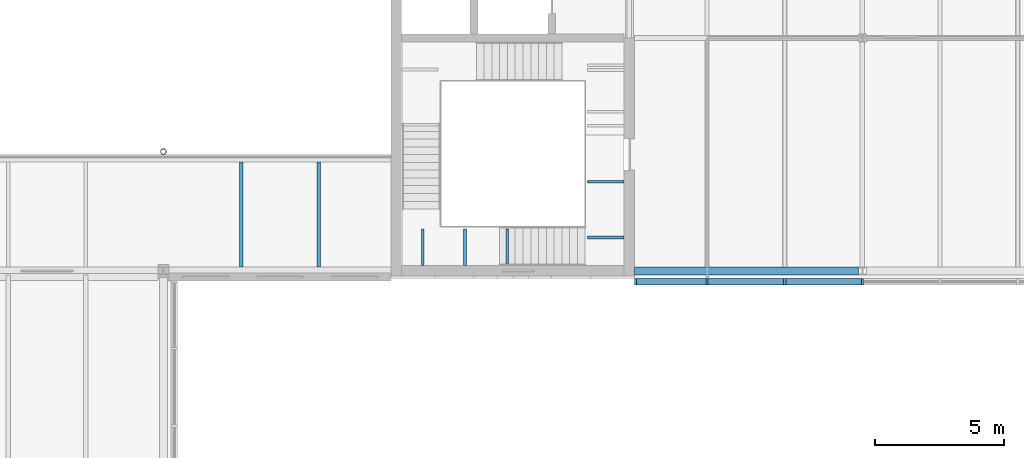
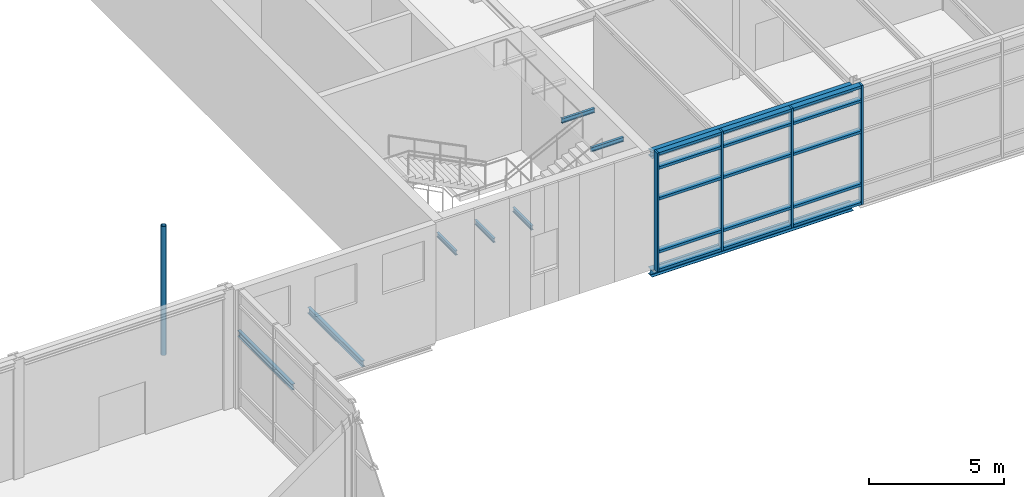
# One storey, part 23 of 46: 20 members, 9 beams, 1 element without a shape of its own.
"""IFC4 building model written with IfcOpenShell, lengths in metres."""

from ifc_helpers import new_model, si_unit, direction, frame, origin, origin_2d, place, context, subcontext, project, spatial, rectangle, hollow_circle, i_section, extrude, material, material_profile, profile_set, type_object, element, aggregate, save


model = new_model("IFC4")

# Units and contexts
model_context = context("Model", 3, precision=1e-05, world=origin(), true_north=direction((0.0, 1.0)))
body_context = subcontext(model_context, "Body", "Model", "MODEL_VIEW")
ifc_project = project(units=[si_unit("LENGTHUNIT", "METRE"), si_unit("AREAUNIT", "SQUARE_METRE"), si_unit("VOLUMEUNIT", "CUBIC_METRE"), si_unit("PLANEANGLEUNIT", "RADIAN"), si_unit("MASSUNIT", "GRAM", prefix="KILO")], contexts=[model_context])

# Site, building, storey
site_placement = place(None, origin())
site = spatial("IfcSite", under=ifc_project, at=site_placement, CompositionType="ELEMENT")
building_placement = place(site_placement, origin())
building = spatial("IfcBuilding", under=site, at=building_placement, Name="Azimuth Sports and Learning Centre", CompositionType="ELEMENT")
storey_placement = place(building_placement, frame((0.0, 0.0, 21.60009765625)))
storey = spatial("IfcBuildingStorey", under=building, at=storey_placement, Name="L04", CompositionType="ELEMENT", Elevation=21.60009765625)

# Beams
ifc_material_1 = material(Name="Steel S355", Category="steel")
ifc_material_profile_1 = material_profile(ifc_material_1, i_section(OverallWidth=0.10009765625, OverallDepth=0.199951171875, WebThickness=0.005615234375, FlangeThickness=0.008544921875, FilletRadius=0.011962890625, at=origin_2d()), Name="IPE 200")
ifc_profile_set_1 = profile_set([ifc_material_profile_1], Name="Steel S355")
beam_type_1 = type_object("IfcBeamType", Name="Beam IPE 200", PredefinedType="BEAM", material=ifc_profile_set_1)
for number, where, z_axis, x_axis, name in (
    (1, (109.0234375, 90.199951171875, 3.2998046875), (0.0, 1.0, 0.0), (-1.0, 0.0, 0.0), "Landing bracket E1 L04 395"),
    (2, (110.64990234375, 90.199951171875, 3.2998046875), (0.0, 1.0, 0.0), (-1.0, 0.0, 0.0), "Landing bracket E1 L04 396"),
    (3, (112.276611328125, 90.199951171875, 3.2998046875), (0.0, 1.0, 0.0), (-1.0, 0.0, 0.0), "Landing bracket E1 L04 397"),
    (4, (116.800048828125, 91.288818359375, 5.099853515625), (-1.0, 0.0, 0.0), (0.0, -1.0, 0.0), "Landing bracket E1 L04 398"),
    (5, (116.800048828125, 93.4462890625, 5.099853515625), (-1.0, 0.0, 0.0), (0.0, -1.0, 0.0), "Landing bracket E1 L04 399"),
):
    element("IfcBeam", number, at=place(storey_placement, frame(where, z_axis=z_axis, x_axis=x_axis)), inside=storey, type_object=beam_type_1, Name=name, PredefinedType="BEAM", context=body_context, shape_type="SweptSolid", body=[
        extrude(i_section(OverallWidth=0.10009765625, OverallDepth=0.199951171875, WebThickness=0.005615234375, FlangeThickness=0.008544921875, FilletRadius=0.011962890625, at=origin_2d()), origin(), (0.0, 0.0, 1.0), 1.41015625),
    ])
ifc_material_2 = material(Name="Steel S355", Category="steel")
ifc_material_profile_2 = material_profile(ifc_material_2, i_section(OverallWidth=0.300048828125, OverallDepth=0.2900390625, WebThickness=0.008544921875, FlangeThickness=0.013916015625, FilletRadius=0.027099609375, at=origin_2d()), Name="HEA 300")
ifc_profile_set_2 = profile_set([ifc_material_profile_2], Name="Steel S355")
beam_type_2 = type_object("IfcBeamType", Name="Edge beam HEA 300", PredefinedType="SPANDREL", material=ifc_profile_set_2)
beam_1_placement = place(storey_placement, frame((117.199951171875, 90.0, 5.054931640625), z_axis=(1.0, 0.0, 0.0), x_axis=(0.0, 1.0, 0.0)))
element("IfcBeam", 6, at=beam_1_placement, inside=storey, type_object=beam_type_2, Name="Edge beam L04 TE 62", PredefinedType="SPANDREL", context=body_context, shape_type="SweptSolid", body=[
    extrude(i_section(OverallWidth=0.300048828125, OverallDepth=0.2900390625, WebThickness=0.008544921875, FlangeThickness=0.013916015625, FilletRadius=0.027099609375, at=origin_2d()), origin(), (0.0, 0.0, 1.0), 8.650146484375),
])
ifc_material_3 = material(Name="Steel S355", Category="steel")
ifc_material_profile_3 = material_profile(ifc_material_3, i_section(OverallWidth=0.300048828125, OverallDepth=0.31005859375, WebThickness=0.009033203125, FlangeThickness=0.015380859375, FilletRadius=0.027099609375, at=origin_2d()), Name="HEA 320")
ifc_profile_set_3 = profile_set([ifc_material_profile_3], Name="Steel S355")
beam_type_3 = type_object("IfcBeamType", Name="Edge beam HEA 320", PredefinedType="SPANDREL", material=ifc_profile_set_3)
beam_2_placement = place(storey_placement, frame((117.199951171875, 90.0, -0.30517578125), z_axis=(1.0, 0.0, 0.0), x_axis=(0.0, 1.0, 0.0)))
element("IfcBeam", 7, at=beam_2_placement, inside=storey, type_object=beam_type_3, Name="Edge beam L04 WE 1", PredefinedType="SPANDREL", context=body_context, shape_type="SweptSolid", body=[
    extrude(i_section(OverallWidth=0.300048828125, OverallDepth=0.31005859375, WebThickness=0.009033203125, FlangeThickness=0.015380859375, FilletRadius=0.027099609375, at=origin_2d()), origin(), (0.0, 0.0, 1.0), 8.650146484375),
])
ifc_material_4 = material(Name="Steel S355", Category="steel")
ifc_material_profile_4 = material_profile(ifc_material_4, i_section(OverallWidth=0.135009765625, OverallDepth=0.27001953125, WebThickness=0.006591796875, FlangeThickness=0.01025390625, FilletRadius=0.014892578125, at=origin_2d()), Name="IPE 270")
ifc_profile_set_4 = profile_set([ifc_material_profile_4], Name="Steel S355")
beam_type_4 = type_object("IfcBeamType", Name="Joist IPE 270", PredefinedType="JOIST", material=ifc_profile_set_4)
for number, where, z_axis, x_axis, name in (
    (8, (102.0, 90.14990234375, -0.28515625), (0.0, 1.0, 0.0), (-1.0, 0.0, 0.0), "Joist L04 HG 12"),
    (9, (105.0, 90.14990234375, -0.28515625), (0.0, 1.0, 0.0), (-1.0, 0.0, 0.0), "Joist L04 HG 13"),
):
    element("IfcBeam", number, at=place(storey_placement, frame(where, z_axis=z_axis, x_axis=x_axis)), inside=storey, type_object=beam_type_4, Name=name, PredefinedType="JOIST", context=body_context, shape_type="SweptSolid", body=[
        extrude(i_section(OverallWidth=0.135009765625, OverallDepth=0.27001953125, WebThickness=0.006591796875, FlangeThickness=0.01025390625, FilletRadius=0.014892578125, at=origin_2d()), origin(), (0.0, 0.0, 1.0), 4.050048828125),
    ])

# Curtain wall, members
ifc_material_5 = material(Name="Aluminium and glass", Category="aluminium")
curtain_wall_type = type_object("IfcCurtainWallType", Name="Curtain wall podium wing 240", PredefinedType="NOTDEFINED", material=ifc_material_5)
curtain_wall_placement = place(storey_placement, origin())
curtain_wall = element("IfcCurtainWall", 10, at=curtain_wall_placement, inside=storey, type_object=curtain_wall_type, Name="Curtain wall CW04-009", PredefinedType="NOTDEFINED")
ifc_material_6 = material(Name="Aluminium", Category="aluminium")
ifc_material_profile_5 = material_profile(ifc_material_6, rectangle(XDim=0.239990234375, YDim=0.080078125, at=origin_2d()), Name="Mullion 80x240")
ifc_profile_set_5 = profile_set([ifc_material_profile_5], Name="Aluminium")
member_type_1 = type_object("IfcMemberType", Name="Mullion 80x240", PredefinedType="MULLION", material=ifc_profile_set_5)
member_1_placement = place(storey_placement, frame((117.239990234375, 89.580078125, 0.0), z_axis=(0.0, 0.0, 1.0), x_axis=(0.0, 1.0, 0.0)))
member_1 = element("IfcMember", 11, at=member_1_placement, type_object=member_type_1, Name="CW04-009 mullion 1", PredefinedType="MULLION", context=body_context, shape_type="SweptSolid", body=[
    extrude(rectangle(XDim=0.239990234375, YDim=0.080078125, at=origin_2d()), origin(), (0.0, 0.0, 1.0), 5.39990234375),
])
member_2_placement = place(storey_placement, frame((120.0, 89.580078125, 0.0), z_axis=(0.0, 0.0, 1.0), x_axis=(0.0, 1.0, 0.0)))
member_2 = element("IfcMember", 12, at=member_2_placement, type_object=member_type_1, Name="CW04-009 mullion 2", PredefinedType="MULLION", context=body_context, shape_type="SweptSolid", body=[
    extrude(rectangle(XDim=0.239990234375, YDim=0.080078125, at=origin_2d()), origin(), (0.0, 0.0, 1.0), 5.39990234375),
])
member_3_placement = place(storey_placement, frame((123.0, 89.580078125, 0.0), z_axis=(0.0, 0.0, 1.0), x_axis=(0.0, 1.0, 0.0)))
member_3 = element("IfcMember", 13, at=member_3_placement, type_object=member_type_1, Name="CW04-009 mullion 3", PredefinedType="MULLION", context=body_context, shape_type="SweptSolid", body=[
    extrude(rectangle(XDim=0.239990234375, YDim=0.080078125, at=origin_2d()), origin(), (0.0, 0.0, 1.0), 5.39990234375),
])
member_4_placement = place(storey_placement, frame((126.0, 89.580078125, 0.0), z_axis=(0.0, 0.0, 1.0), x_axis=(0.0, 1.0, 0.0)))
member_4 = element("IfcMember", 14, at=member_4_placement, type_object=member_type_1, Name="CW04-009 mullion 4", PredefinedType="MULLION", context=body_context, shape_type="SweptSolid", body=[
    extrude(rectangle(XDim=0.239990234375, YDim=0.080078125, at=origin_2d()), origin(), (0.0, 0.0, 1.0), 5.39990234375),
])
ifc_material_7 = material(Name="Aluminium", Category="aluminium")
ifc_material_profile_6 = material_profile(ifc_material_7, rectangle(XDim=0.239990234375, YDim=0.1201171875, at=origin_2d()), Name="Transom 120x240")
ifc_profile_set_6 = profile_set([ifc_material_profile_6], Name="Aluminium")
member_type_2 = type_object("IfcMemberType", Name="Transom 120x240", PredefinedType="USERDEFINED", material=ifc_profile_set_6)
member_5_placement = place(storey_placement, frame((117.280029296875, 89.580078125, 0.059814453125), z_axis=(1.0, 0.0, 0.0), x_axis=(0.0, 1.0, 0.0)))
member_5 = element("IfcMember", 15, at=member_5_placement, type_object=member_type_2, Name="CW04-009 transom 1.1", ObjectType="TRANSOM", PredefinedType="USERDEFINED", context=body_context, shape_type="SweptSolid", body=[
    extrude(rectangle(XDim=0.239990234375, YDim=0.1201171875, at=origin_2d()), origin(), (0.0, 0.0, 1.0), 2.679931640625),
])
member_6_placement = place(storey_placement, frame((117.280029296875, 89.580078125, 0.89990234375), z_axis=(1.0, 0.0, 0.0), x_axis=(0.0, 1.0, 0.0)))
member_6 = element("IfcMember", 16, at=member_6_placement, type_object=member_type_2, Name="CW04-009 transom 1.2", ObjectType="TRANSOM", PredefinedType="USERDEFINED", context=body_context, shape_type="SweptSolid", body=[
    extrude(rectangle(XDim=0.239990234375, YDim=0.1201171875, at=origin_2d()), origin(), (0.0, 0.0, 1.0), 2.679931640625),
])
member_7_placement = place(storey_placement, frame((117.280029296875, 89.580078125, 3.2998046875), z_axis=(1.0, 0.0, 0.0), x_axis=(0.0, 1.0, 0.0)))
member_7 = element("IfcMember", 17, at=member_7_placement, type_object=member_type_2, Name="CW04-009 transom 1.3", ObjectType="TRANSOM", PredefinedType="USERDEFINED", context=body_context, shape_type="SweptSolid", body=[
    extrude(rectangle(XDim=0.239990234375, YDim=0.1201171875, at=origin_2d()), origin(), (0.0, 0.0, 1.0), 2.679931640625),
])
member_8_placement = place(storey_placement, frame((117.280029296875, 89.580078125, 4.699951171875), z_axis=(1.0, 0.0, 0.0), x_axis=(0.0, 1.0, 0.0)))
member_8 = element("IfcMember", 18, at=member_8_placement, type_object=member_type_2, Name="CW04-009 transom 1.4", ObjectType="TRANSOM", PredefinedType="USERDEFINED", context=body_context, shape_type="SweptSolid", body=[
    extrude(rectangle(XDim=0.239990234375, YDim=0.1201171875, at=origin_2d()), origin(), (0.0, 0.0, 1.0), 2.679931640625),
])
member_9_placement = place(storey_placement, frame((117.280029296875, 89.580078125, 5.33984375), z_axis=(1.0, 0.0, 0.0), x_axis=(0.0, 1.0, 0.0)))
member_9 = element("IfcMember", 19, at=member_9_placement, type_object=member_type_2, Name="CW04-009 transom 1.5", ObjectType="TRANSOM", PredefinedType="USERDEFINED", context=body_context, shape_type="SweptSolid", body=[
    extrude(rectangle(XDim=0.239990234375, YDim=0.1201171875, at=origin_2d()), origin(), (0.0, 0.0, 1.0), 2.679931640625),
])
member_10_placement = place(storey_placement, frame((120.0400390625, 89.580078125, 0.059814453125), z_axis=(1.0, 0.0, 0.0), x_axis=(0.0, 1.0, 0.0)))
member_10 = element("IfcMember", 20, at=member_10_placement, type_object=member_type_2, Name="CW04-009 transom 2.1", ObjectType="TRANSOM", PredefinedType="USERDEFINED", context=body_context, shape_type="SweptSolid", body=[
    extrude(rectangle(XDim=0.239990234375, YDim=0.1201171875, at=origin_2d()), origin(), (0.0, 0.0, 1.0), 2.919921875),
])
member_11_placement = place(storey_placement, frame((120.0400390625, 89.580078125, 0.89990234375), z_axis=(1.0, 0.0, 0.0), x_axis=(0.0, 1.0, 0.0)))
member_11 = element("IfcMember", 21, at=member_11_placement, type_object=member_type_2, Name="CW04-009 transom 2.2", ObjectType="TRANSOM", PredefinedType="USERDEFINED", context=body_context, shape_type="SweptSolid", body=[
    extrude(rectangle(XDim=0.239990234375, YDim=0.1201171875, at=origin_2d()), origin(), (0.0, 0.0, 1.0), 2.919921875),
])
member_12_placement = place(storey_placement, frame((120.0400390625, 89.580078125, 3.2998046875), z_axis=(1.0, 0.0, 0.0), x_axis=(0.0, 1.0, 0.0)))
member_12 = element("IfcMember", 22, at=member_12_placement, type_object=member_type_2, Name="CW04-009 transom 2.3", ObjectType="TRANSOM", PredefinedType="USERDEFINED", context=body_context, shape_type="SweptSolid", body=[
    extrude(rectangle(XDim=0.239990234375, YDim=0.1201171875, at=origin_2d()), origin(), (0.0, 0.0, 1.0), 2.919921875),
])
member_13_placement = place(storey_placement, frame((120.0400390625, 89.580078125, 4.699951171875), z_axis=(1.0, 0.0, 0.0), x_axis=(0.0, 1.0, 0.0)))
member_13 = element("IfcMember", 23, at=member_13_placement, type_object=member_type_2, Name="CW04-009 transom 2.4", ObjectType="TRANSOM", PredefinedType="USERDEFINED", context=body_context, shape_type="SweptSolid", body=[
    extrude(rectangle(XDim=0.239990234375, YDim=0.1201171875, at=origin_2d()), origin(), (0.0, 0.0, 1.0), 2.919921875),
])
member_14_placement = place(storey_placement, frame((120.0400390625, 89.580078125, 5.33984375), z_axis=(1.0, 0.0, 0.0), x_axis=(0.0, 1.0, 0.0)))
member_14 = element("IfcMember", 24, at=member_14_placement, type_object=member_type_2, Name="CW04-009 transom 2.5", ObjectType="TRANSOM", PredefinedType="USERDEFINED", context=body_context, shape_type="SweptSolid", body=[
    extrude(rectangle(XDim=0.239990234375, YDim=0.1201171875, at=origin_2d()), origin(), (0.0, 0.0, 1.0), 2.919921875),
])
member_15_placement = place(storey_placement, frame((123.0400390625, 89.580078125, 0.059814453125), z_axis=(1.0, 0.0, 0.0), x_axis=(0.0, 1.0, 0.0)))
member_15 = element("IfcMember", 25, at=member_15_placement, type_object=member_type_2, Name="CW04-009 transom 3.1", ObjectType="TRANSOM", PredefinedType="USERDEFINED", context=body_context, shape_type="SweptSolid", body=[
    extrude(rectangle(XDim=0.239990234375, YDim=0.1201171875, at=origin_2d()), origin(), (0.0, 0.0, 1.0), 2.919921875),
])
member_16_placement = place(storey_placement, frame((123.0400390625, 89.580078125, 0.89990234375), z_axis=(1.0, 0.0, 0.0), x_axis=(0.0, 1.0, 0.0)))
member_16 = element("IfcMember", 26, at=member_16_placement, type_object=member_type_2, Name="CW04-009 transom 3.2", ObjectType="TRANSOM", PredefinedType="USERDEFINED", context=body_context, shape_type="SweptSolid", body=[
    extrude(rectangle(XDim=0.239990234375, YDim=0.1201171875, at=origin_2d()), origin(), (0.0, 0.0, 1.0), 2.919921875),
])
member_17_placement = place(storey_placement, frame((123.0400390625, 89.580078125, 3.2998046875), z_axis=(1.0, 0.0, 0.0), x_axis=(0.0, 1.0, 0.0)))
member_17 = element("IfcMember", 27, at=member_17_placement, type_object=member_type_2, Name="CW04-009 transom 3.3", ObjectType="TRANSOM", PredefinedType="USERDEFINED", context=body_context, shape_type="SweptSolid", body=[
    extrude(rectangle(XDim=0.239990234375, YDim=0.1201171875, at=origin_2d()), origin(), (0.0, 0.0, 1.0), 2.919921875),
])
member_18_placement = place(storey_placement, frame((123.0400390625, 89.580078125, 4.699951171875), z_axis=(1.0, 0.0, 0.0), x_axis=(0.0, 1.0, 0.0)))
member_18 = element("IfcMember", 28, at=member_18_placement, type_object=member_type_2, Name="CW04-009 transom 3.4", ObjectType="TRANSOM", PredefinedType="USERDEFINED", context=body_context, shape_type="SweptSolid", body=[
    extrude(rectangle(XDim=0.239990234375, YDim=0.1201171875, at=origin_2d()), origin(), (0.0, 0.0, 1.0), 2.919921875),
])
member_19_placement = place(storey_placement, frame((123.0400390625, 89.580078125, 5.33984375), z_axis=(1.0, 0.0, 0.0), x_axis=(0.0, 1.0, 0.0)))
member_19 = element("IfcMember", 29, at=member_19_placement, type_object=member_type_2, Name="CW04-009 transom 3.5", ObjectType="TRANSOM", PredefinedType="USERDEFINED", context=body_context, shape_type="SweptSolid", body=[
    extrude(rectangle(XDim=0.239990234375, YDim=0.1201171875, at=origin_2d()), origin(), (0.0, 0.0, 1.0), 2.919921875),
])
aggregate(curtain_wall, [member_1, member_2, member_3, member_4, member_5, member_6, member_7, member_8, member_9, member_10, member_11, member_12, member_13, member_14, member_15, member_16, member_17, member_18, member_19])

# Member
ifc_material_8 = material(Name="Steel S355", Category="steel")
ifc_material_profile_7 = material_profile(ifc_material_8, hollow_circle(Radius=0.109619140625, WallThickness=0.010009765625, at=origin_2d()), Name="CHS 219.1x10.0")
ifc_profile_set_7 = profile_set([ifc_material_profile_7], Name="Steel S355")
member_type_3 = type_object("IfcMemberType", Name="Truss post CHS 219.1x10.0", PredefinedType="POST", material=ifc_profile_set_7)
member_20_placement = place(storey_placement, frame((99.0, 94.609619140625, -0.4501953125), z_axis=(0.0, 0.0, 1.0), x_axis=(1.0, 0.0, 0.0)))
element("IfcMember", 30, at=member_20_placement, inside=storey, type_object=member_type_3, Name="Gallery hanger TT-4", PredefinedType="POST", context=body_context, shape_type="SweptSolid", body=[
    extrude(hollow_circle(Radius=0.109619140625, WallThickness=0.010009765625, at=origin_2d()), origin(), (0.0, 0.0, 1.0), 5.85009765625),
])

save(model, "model.ifc")
